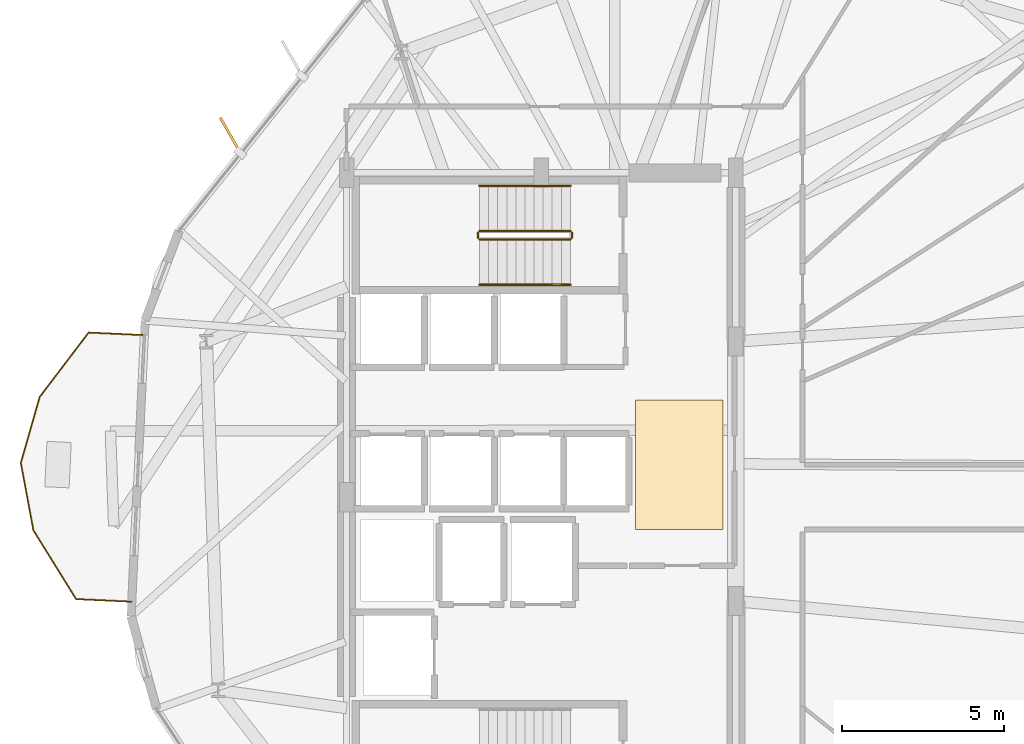
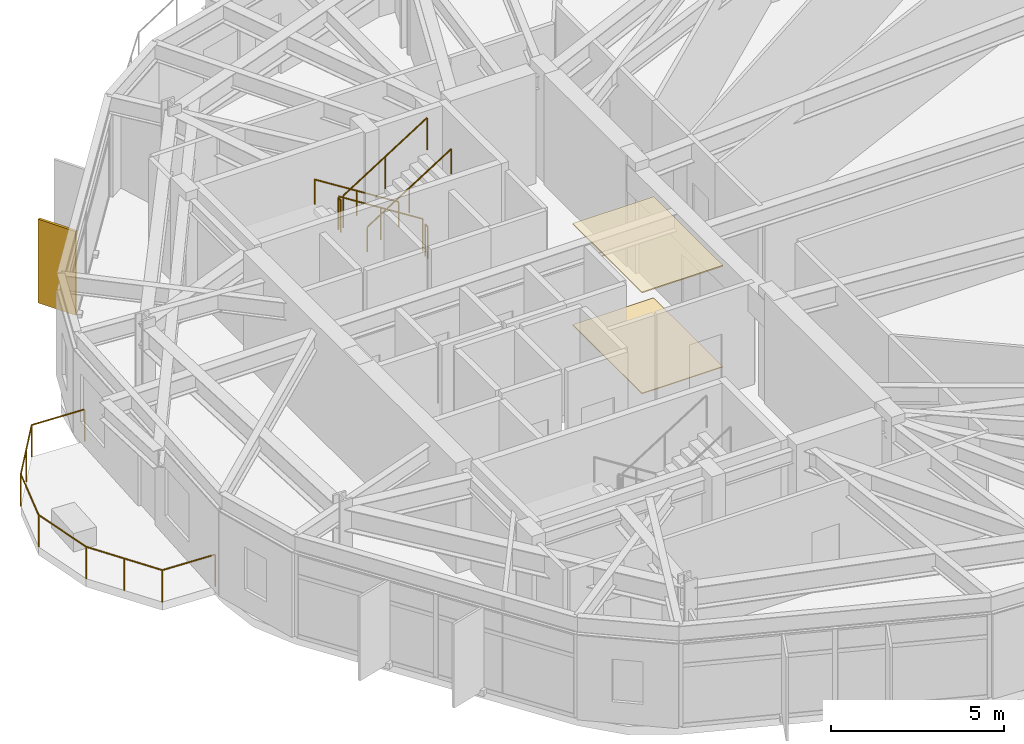
# One storey, part 24 of 25: 7 railings, 2 coverings, 1 shading device.
"""IFC4 building model written with IfcOpenShell, lengths in metres."""

from ifc_helpers import new_model, si_unit, direction, frame, origin, origin_2d, place, context, subcontext, project, spatial, polyline, rectangle, circle, outline, extrude, material, layer, layer_set, type_object, element, save


model = new_model("IFC4")

# Units and contexts
model_context = context("Model", 3, precision=1e-05, world=origin(), true_north=direction((0.0, 1.0)))
body_context = subcontext(model_context, "Body", "Model", "MODEL_VIEW")
ifc_project = project(units=[si_unit("LENGTHUNIT", "METRE"), si_unit("AREAUNIT", "SQUARE_METRE"), si_unit("VOLUMEUNIT", "CUBIC_METRE"), si_unit("PLANEANGLEUNIT", "RADIAN"), si_unit("MASSUNIT", "GRAM", prefix="KILO")], contexts=[model_context])

# Site, building, storey
site_placement = place(None, origin())
site = spatial("IfcSite", under=ifc_project, at=site_placement, CompositionType="ELEMENT")
building_placement = place(site_placement, origin())
building = spatial("IfcBuilding", under=site, at=building_placement, Name="Soratama Intermodal Tower", CompositionType="ELEMENT")
storey_placement = place(building_placement, frame((0.0, 0.0, 87.39990234375)))
storey = spatial("IfcBuildingStorey", under=building, at=storey_placement, Name="L20", CompositionType="ELEMENT", Elevation=87.39990234375)

# Coverings
ifc_material_1 = material(Name="Perforated mineral acoustic ceiling", Category="concrete")
ifc_layer_1 = layer(ifc_material_1, 0.0400390625)
ifc_layer_set_1 = layer_set([ifc_layer_1], Name="Perforated mineral acoustic ceiling")
covering_type_1 = type_object("IfcCoveringType", Name="CV-CEIL-ACOUSTIC", PredefinedType="CEILING", material=ifc_layer_set_1)
covering_1_placement = place(storey_placement, frame((0.0, 0.0, 3.56005859375)))
element("IfcCovering", 1, at=covering_1_placement, inside=storey, type_object=covering_type_1, Name="L20 Acoustic Ceiling", PredefinedType="CEILING", context=body_context, shape_type="SweptSolid", body=[
    extrude(outline(polyline([(41.5, 24.0), (44.199951171875, 24.0), (44.199951171875, 28.0), (41.5, 28.0), (41.5, 24.0)])), origin(), (0.0, 0.0, 1.0), 0.0400390625),
])
ifc_material_2 = material(Name="Polished Andean stone terrazzo flooring", Category="masonry")
ifc_layer_2 = layer(ifc_material_2, 0.030029296875)
ifc_layer_set_2 = layer_set([ifc_layer_2], Name="Polished Andean stone terrazzo flooring")
covering_type_2 = type_object("IfcCoveringType", Name="CV-FLOR-TERRAZZO", PredefinedType="FLOORING", material=ifc_layer_set_2)
covering_2_placement = place(storey_placement, origin())
element("IfcCovering", 2, at=covering_2_placement, inside=storey, type_object=covering_type_2, Name="L20 Lobby Terrazzo Flooring", PredefinedType="FLOORING", context=body_context, shape_type="SweptSolid", body=[
    extrude(outline(polyline([(41.5, 24.0), (44.199951171875, 24.0), (44.199951171875, 28.0), (41.5, 28.0), (41.5, 24.0)])), origin(), (0.0, 0.0, 1.0), 0.030029296875),
])

# Railings
ifc_material_3 = material(Name="Laminated glass and stainless steel balustrade", Category="steel")
railing_type_1 = type_object("IfcRailingType", Name="RL-BAL-1150", PredefinedType="BALUSTRADE", material=ifc_material_3)
railing_1_placement = place(storey_placement, frame((25.978271484375, 21.777587890625, 0.0)))
element("IfcRailing", 3, at=railing_1_placement, inside=storey, type_object=railing_type_1, Name="L20 Balcony Balustrade 3", PredefinedType="BALUSTRADE", context=body_context, shape_type="SweptSolid", body=[
    extrude(circle(Radius=0.02392578125, at=origin_2d()), frame((0.0, 0.0, 1.1259765625), z_axis=(-0.998889231445, 0.047120094464, 0.0), x_axis=(-0.047120094464, -0.998889231445, 0.0)), (0.0, 0.0, 1.0), 1.72021484375),
    extrude(circle(Radius=0.02392578125, at=origin_2d()), frame((-1.71826171875, 0.0810546875, 1.1259765625), z_axis=(-0.527263075989, 0.849702094089, 0.0), x_axis=(-0.849702094089, -0.527263075989, 0.0)), (0.0, 0.0, 1.0), 2.4970703125),
    extrude(circle(Radius=0.02392578125, at=origin_2d()), frame((-3.034912109375, 2.202880859375, 1.1259765625), z_axis=(-0.183193505083, 0.983076873747, 0.0), x_axis=(-0.983076873747, -0.183193505083, 0.0)), (0.0, 0.0, 1.0), 2.11376953125),
    extrude(circle(Radius=0.02392578125, at=origin_2d()), frame((-3.422119140625, 4.28076171875, 1.1259765625), z_axis=(0.274873662544, 0.961480353226, 0.0), x_axis=(-0.961480353226, 0.274873662544, 0.0)), (0.0, 0.0, 1.0), 2.114013671875),
    extrude(circle(Radius=0.02392578125, at=origin_2d()), frame((-2.841064453125, 6.313232421875, 1.1259765625), z_axis=(0.60493203308, 0.79627710965, 0.0), x_axis=(-0.79627710965, 0.60493203308, 0.0)), (0.0, 0.0, 1.0), 2.4970703125),
    extrude(circle(Radius=0.02392578125, at=origin_2d()), frame((-1.33056640625, 8.301513671875, 1.1259765625), z_axis=(0.998889231445, -0.047120094464, 0.0), x_axis=(0.047120094464, 0.998889231445, 0.0)), (0.0, 0.0, 1.0), 1.72021484375),
    extrude(circle(Radius=0.02099609375, at=origin_2d()), origin(), (0.0, 0.0, 1.0), 1.101806640625),
    extrude(circle(Radius=0.02099609375, at=origin_2d()), frame((-1.71826171875, 0.0810546875, 0.0)), (0.0, 0.0, 1.0), 1.101806640625),
    extrude(circle(Radius=0.02099609375, at=origin_2d()), frame((-2.37646484375, 1.14208984375, 0.0)), (0.0, 0.0, 1.0), 1.101806640625),
    extrude(circle(Radius=0.02099609375, at=origin_2d()), frame((-3.034912109375, 2.202880859375, 0.0)), (0.0, 0.0, 1.0), 1.101806640625),
    extrude(circle(Radius=0.02099609375, at=origin_2d()), frame((-3.422119140625, 4.28076171875, 0.0)), (0.0, 0.0, 1.0), 1.101806640625),
    extrude(circle(Radius=0.02099609375, at=origin_2d()), frame((-2.841064453125, 6.313232421875, 0.0)), (0.0, 0.0, 1.0), 1.101806640625),
    extrude(circle(Radius=0.02099609375, at=origin_2d()), frame((-2.0859375, 7.307373046875, 0.0)), (0.0, 0.0, 1.0), 1.101806640625),
    extrude(circle(Radius=0.02099609375, at=origin_2d()), frame((-1.33056640625, 8.301513671875, 0.0)), (0.0, 0.0, 1.0), 1.101806640625),
    extrude(circle(Radius=0.02099609375, at=origin_2d()), frame((0.3876953125, 8.220458984375, 0.0)), (0.0, 0.0, 1.0), 1.101806640625),
])
ifc_material_4 = material(Name="Painted steel stair guardrail", Category="steel")
railing_type_2 = type_object("IfcRailingType", Name="RL-STAIR-GUARD", PredefinedType="GUARDRAIL", material=ifc_material_4)
railing_2_placement = place(storey_placement, frame((39.5, 33.199951171875, 0.177490234375)))
element("IfcRailing", 4, at=railing_2_placement, inside=storey, type_object=railing_type_2, Name="L20 ST-2 stair guard 1", PredefinedType="GUARDRAIL", context=body_context, shape_type="SweptSolid", body=[
    extrude(circle(Radius=0.02392578125, at=origin_2d()), frame((0.0, 0.0, 1.1259765625), z_axis=(-0.844908973607, 0.0, 0.534910110503), x_axis=(0.0, -1.0, 0.0)), (0.0, 0.0, 1.0), 3.31396484375),
    extrude(circle(Radius=0.02099609375, at=origin_2d()), origin(), (0.0, 0.0, 1.0), 1.101806640625),
    extrude(circle(Radius=0.02099609375, at=origin_2d()), frame((-1.39990234375, 0.0, 0.88623046875)), (0.0, 0.0, 1.0), 1.101806640625),
    extrude(circle(Radius=0.02099609375, at=origin_2d()), frame((-2.800048828125, 0.0, 1.772705078125)), (0.0, 0.0, 1.0), 1.101806640625),
])
railing_3_placement = place(storey_placement, frame((36.64990234375, 33.14990234375, 1.9501953125)))
element("IfcRailing", 5, at=railing_3_placement, inside=storey, type_object=railing_type_2, Name="L20 ST-2 stair guard 2", PredefinedType="GUARDRAIL", context=body_context, shape_type="SweptSolid", body=[
    extrude(circle(Radius=0.02392578125, at=origin_2d()), frame((0.0, 0.0, 1.1259765625), z_axis=(0.0, -1.0, 0.0), x_axis=(1.0, 0.0, 0.0)), (0.0, 0.0, 1.0), 0.14990234375),
    extrude(circle(Radius=0.02099609375, at=origin_2d()), origin(), (0.0, 0.0, 1.0), 1.101806640625),
    extrude(circle(Radius=0.02099609375, at=origin_2d()), frame((0.0, -0.14990234375, 0.0)), (0.0, 0.0, 1.0), 1.101806640625),
])
railing_4_placement = place(storey_placement, frame((36.699951171875, 32.949951171875, 2.12744140625)))
element("IfcRailing", 6, at=railing_4_placement, inside=storey, type_object=railing_type_2, Name="L20 ST-2 stair guard 3", PredefinedType="GUARDRAIL", context=body_context, shape_type="SweptSolid", body=[
    extrude(circle(Radius=0.02392578125, at=origin_2d()), frame((0.0, 0.0, 1.1259765625), z_axis=(0.844908973607, 0.0, 0.534910110503), x_axis=(0.0, 1.0, 0.0)), (0.0, 0.0, 1.0), 3.31396484375),
    extrude(circle(Radius=0.02099609375, at=origin_2d()), origin(), (0.0, 0.0, 1.0), 1.101806640625),
    extrude(circle(Radius=0.02099609375, at=origin_2d()), frame((1.39990234375, 0.0, 0.88623046875)), (0.0, 0.0, 1.0), 1.101806640625),
    extrude(circle(Radius=0.02099609375, at=origin_2d()), frame((2.800048828125, 0.0, 1.772705078125)), (0.0, 0.0, 1.0), 1.101806640625),
])
railing_5_placement = place(storey_placement, frame((39.550048828125, 33.14990234375, 0.0)))
element("IfcRailing", 7, at=railing_5_placement, inside=storey, type_object=railing_type_2, Name="L20 ST-2 stair guard 4", PredefinedType="GUARDRAIL", context=body_context, shape_type="SweptSolid", body=[
    extrude(circle(Radius=0.02392578125, at=origin_2d()), frame((0.0, 0.0, 1.1259765625), z_axis=(0.0, -1.0, 0.0), x_axis=(1.0, 0.0, 0.0)), (0.0, 0.0, 1.0), 0.14990234375),
    extrude(circle(Radius=0.02099609375, at=origin_2d()), origin(), (0.0, 0.0, 1.0), 1.101806640625),
    extrude(circle(Radius=0.02099609375, at=origin_2d()), frame((0.0, -0.14990234375, 0.0)), (0.0, 0.0, 1.0), 1.101806640625),
])
ifc_material_5 = material(Name="Brushed stainless steel handrail", Category="steel")
railing_type_3 = type_object("IfcRailingType", Name="RL-STAIR-HAND", PredefinedType="HANDRAIL", material=ifc_material_5)
railing_6_placement = place(storey_placement, frame((39.5, 34.60009765625, 0.177490234375)))
element("IfcRailing", 8, at=railing_6_placement, inside=storey, type_object=railing_type_3, Name="L20 ST-2 stair handrail 1", PredefinedType="HANDRAIL", context=body_context, shape_type="SweptSolid", body=[
    extrude(circle(Radius=0.02392578125, at=origin_2d()), frame((0.0, 0.0, 0.8759765625), z_axis=(-0.844908973607, 0.0, 0.534910110503), x_axis=(0.0, -1.0, 0.0)), (0.0, 0.0, 1.0), 3.31396484375),
    extrude(circle(Radius=0.02099609375, at=origin_2d()), origin(), (0.0, 0.0, 1.0), 0.851806640625),
    extrude(circle(Radius=0.02099609375, at=origin_2d()), frame((-1.39990234375, 0.0, 0.88623046875)), (0.0, 0.0, 1.0), 0.851806640625),
    extrude(circle(Radius=0.02099609375, at=origin_2d()), frame((-2.800048828125, 0.0, 1.772705078125)), (0.0, 0.0, 1.0), 0.851806640625),
])
railing_7_placement = place(storey_placement, frame((36.699951171875, 31.550048828125, 2.12744140625)))
element("IfcRailing", 9, at=railing_7_placement, inside=storey, type_object=railing_type_3, Name="L20 ST-2 stair handrail 2", PredefinedType="HANDRAIL", context=body_context, shape_type="SweptSolid", body=[
    extrude(circle(Radius=0.02392578125, at=origin_2d()), frame((0.0, 0.0, 0.8759765625), z_axis=(0.844908973607, 0.0, 0.534910110503), x_axis=(0.0, 1.0, 0.0)), (0.0, 0.0, 1.0), 3.31396484375),
    extrude(circle(Radius=0.02099609375, at=origin_2d()), origin(), (0.0, 0.0, 1.0), 0.851806640625),
    extrude(circle(Radius=0.02099609375, at=origin_2d()), frame((1.39990234375, 0.0, 0.88623046875)), (0.0, 0.0, 1.0), 0.851806640625),
    extrude(circle(Radius=0.02099609375, at=origin_2d()), frame((2.800048828125, 0.0, 1.772705078125)), (0.0, 0.0, 1.0), 0.851806640625),
])

# Shading device
ifc_material_6 = material(Name="Champagne anodised aluminium solar fin", Category="aluminium")
ifc_layer_3 = layer(ifc_material_6, 0.080078125)
ifc_layer_set_3 = layer_set([ifc_layer_3], Name="Champagne anodised aluminium solar fin")
shading_device_type = type_object("IfcShadingDeviceType", Name="SH-FIN-1250", PredefinedType="USERDEFINED", material=ifc_layer_set_3)
shading_device_placement = place(storey_placement, frame((29.0166015625, 36.15673828125, 0.02001953125), z_axis=(0.0, 0.0, 1.0), x_axis=(-0.498790313429, 0.866722691078, 0.0)))
element("IfcShadingDevice", 10, at=shading_device_placement, inside=storey, type_object=shading_device_type, Name="L20 Solar Fin F04-2", ObjectType="FIN", PredefinedType="USERDEFINED", context=body_context, shape_type="SweptSolid", body=[
    extrude(rectangle(XDim=1.25, YDim=0.080078125, at=origin_2d()), origin(), (0.0, 0.0, 1.0), 2.958984375),
])

save(model, "model.ifc")
